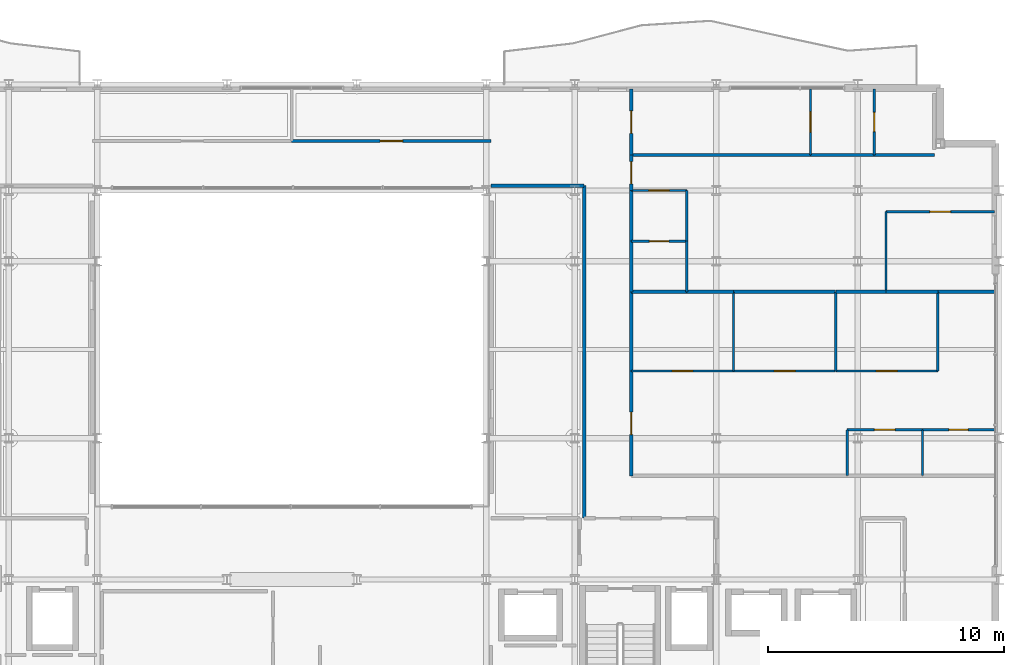
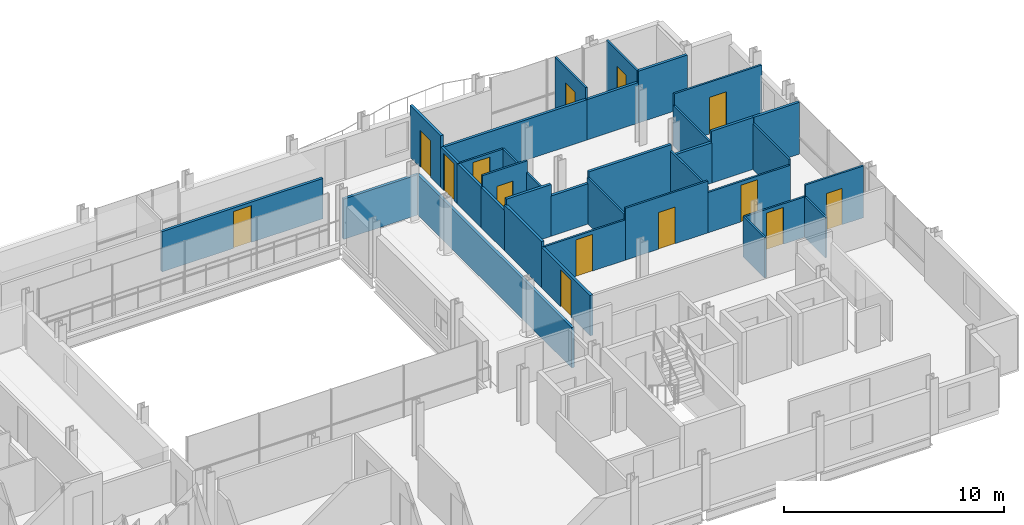
# One storey, part 37 of 41: 36 walls, 14 doors, 14 openings.
"""IFC4 building model written with IfcOpenShell, lengths in metres."""

from ifc_helpers import new_model, si_unit, direction, frame, frame_2d, origin, place, context, subcontext, project, spatial, rectangle, extrude, material, layer, layer_set, type_object, element, fill, save


model = new_model("IFC4")

# Units and contexts
model_context = context("Model", 3, precision=1e-05, world=origin(), true_north=direction((0.0, 1.0)))
body_context = subcontext(model_context, "Body", "Model", "MODEL_VIEW")
ifc_project = project(units=[si_unit("LENGTHUNIT", "METRE"), si_unit("AREAUNIT", "SQUARE_METRE"), si_unit("VOLUMEUNIT", "CUBIC_METRE"), si_unit("PLANEANGLEUNIT", "RADIAN"), si_unit("MASSUNIT", "GRAM", prefix="KILO")], contexts=[model_context])

# Site, building, storey
site_placement = place(None, origin())
site = spatial("IfcSite", under=ifc_project, at=site_placement, CompositionType="ELEMENT")
building_placement = place(site_placement, origin())
building = spatial("IfcBuilding", under=site, at=building_placement, Name="Brevholm Reach", CompositionType="ELEMENT")
storey_placement = place(building_placement, frame((0.0, 0.0, 163.5)))
storey = spatial("IfcBuildingStorey", under=building, at=storey_placement, Name="L49", CompositionType="ELEMENT", Elevation=163.5)

# Wall
ifc_material_1 = material(Name="Moisture-Resistant Acoustic Gypsum Stud Partition 100 mm", Category="gypsum")
ifc_layer_1 = layer(ifc_material_1, 0.10009765625)
ifc_layer_set_1 = layer_set([ifc_layer_1], Name="Moisture-Resistant Acoustic Gypsum Stud Partition 100 mm")
wall_type_1 = type_object("IfcWallType", Name="WAL-PRT-100", PredefinedType="PARTITIONING", material=ifc_layer_set_1)
wall_1_placement = place(storey_placement, frame((56.75, 14.404052734375, 0.0), z_axis=(0.0, 0.0, 1.0), x_axis=(0.0, 1.0, 0.0)))
element("IfcWall", 1, at=wall_1_placement, inside=storey, type_object=wall_type_1, Name="L49 Internal Partition 095", PredefinedType="PARTITIONING", context=body_context, shape_type="SweptSolid", body=[
    extrude(rectangle(XDim=1.946044921875, YDim=0.10009765625, at=frame_2d((0.97314453125, 0.0))), origin(), (0.0, 0.0, 1.0), 2.242919921875),
])

# Wall, opening, door
wall_2_placement = place(storey_placement, frame((56.75, 16.35009765625, 0.0), z_axis=(0.0, 0.0, 1.0), x_axis=(1.0, 0.0, 0.0)))
wall_2 = element("IfcWall", 2, at=wall_2_placement, inside=storey, type_object=wall_type_1, Name="L49 Internal Partition 096", PredefinedType="PARTITIONING", context=body_context, shape_type="SweptSolid", body=[
    extrude(rectangle(XDim=3.050048828125, YDim=0.10009765625, at=frame_2d((1.52490234375, 0.0))), origin(), (0.0, 0.0, 1.0), 2.8798828125),
])
opening_1_placement = place(wall_2_placement, frame((1.114990234375, 0.0, 0.0)))
opening_1 = element("IfcOpeningElement", 3, at=opening_1_placement, cuts=wall_2, Name="Opening ID-03", PredefinedType="OPENING", context=body_context, shape_type="SweptSolid", body=[
    extrude(rectangle(XDim=0.820068359375, YDim=2.02001953125, at=frame_2d((0.41015625, 1.010009765625))), frame((0.0, 0.06005859375, 0.0), z_axis=(0.0, -1.0, 0.0), x_axis=(1.0, 0.0, 0.0)), (0.0, 0.0, 1.0), 0.1201171875),
])
ifc_material_2 = material(Name="Moisture-Resistant Painted Timber Internal Bathroom Door", Category="wood")
door_type_1 = type_object("IfcDoorType", Name="DOR-BATH-820", OperationType="NOTDEFINED", PredefinedType="DOOR", material=ifc_material_2)
door_1_placement = place(opening_1_placement, origin())
door_1 = element("IfcDoor", 4, at=door_1_placement, inside=storey, type_object=door_type_1, Name="L49 Internal Door 041", OperationType="SINGLE_SWING_LEFT", OverallHeight=2.02001953125, OverallWidth=0.820068359375, PredefinedType="DOOR", context=body_context, shape_type="SweptSolid", body=[
    extrude(rectangle(XDim=0.820068359375, YDim=2.02001953125, at=frame_2d((0.41015625, 1.010009765625))), frame((0.0, 0.02490234375, 0.0), z_axis=(0.0, -1.0, 0.0), x_axis=(1.0, 0.0, 0.0)), (0.0, 0.0, 1.0), 0.050048828125),
])
fill(opening_1, door_1)

wall_3_placement = place(storey_placement, frame((53.550048828125, 16.35009765625, 0.0), z_axis=(0.0, 0.0, 1.0), x_axis=(1.0, 0.0, 0.0)))
wall_3 = element("IfcWall", 5, at=wall_3_placement, inside=storey, type_object=wall_type_1, Name="L49 Internal Partition 097", PredefinedType="PARTITIONING", context=body_context, shape_type="SweptSolid", body=[
    extrude(rectangle(XDim=3.196044921875, YDim=0.10009765625, at=frame_2d((1.59814453125, 0.0))), origin(), (0.0, 0.0, 1.0), 2.242919921875),
])
opening_2_placement = place(wall_3_placement, frame((1.157958984375, 0.0, 0.0)))
opening_2 = element("IfcOpeningElement", 6, at=opening_2_placement, cuts=wall_3, Name="Opening ID-01", PredefinedType="OPENING", context=body_context, shape_type="SweptSolid", body=[
    extrude(rectangle(XDim=0.8798828125, YDim=2.0400390625, at=frame_2d((0.43994140625, 1.02001953125))), frame((0.0, 0.06005859375, 0.0), z_axis=(0.0, -1.0, 0.0), x_axis=(1.0, 0.0, 0.0)), (0.0, 0.0, 1.0), 0.1201171875),
])
ifc_material_3 = material(Name="Lacquered Ash Solid-Core Acoustic Internal Door", Category="timber")
door_type_2 = type_object("IfcDoorType", Name="DOR-INT-880", OperationType="NOTDEFINED", PredefinedType="DOOR", material=ifc_material_3)
door_2_placement = place(opening_2_placement, origin())
door_2 = element("IfcDoor", 7, at=door_2_placement, inside=storey, type_object=door_type_2, Name="L49 Internal Door 042", OperationType="SINGLE_SWING_RIGHT", OverallHeight=2.0400390625, OverallWidth=0.8798828125, PredefinedType="DOOR", context=body_context, shape_type="SweptSolid", body=[
    extrude(rectangle(XDim=0.8798828125, YDim=2.0400390625, at=frame_2d((0.43994140625, 1.02001953125))), frame((0.0, 0.02490234375, 0.0), z_axis=(0.0, -1.0, 0.0), x_axis=(1.0, 0.0, 0.0)), (0.0, 0.0, 1.0), 0.050048828125),
])
fill(opening_2, door_2)

# Walls
wall_4_placement = place(storey_placement, frame((53.550048828125, 14.404052734375, 0.0), z_axis=(0.0, 0.0, 1.0), x_axis=(0.0, 1.0, 0.0)))
element("IfcWall", 8, at=wall_4_placement, inside=storey, type_object=wall_type_1, Name="L49 Internal Partition 098", PredefinedType="PARTITIONING", context=body_context, shape_type="SweptSolid", body=[
    extrude(rectangle(XDim=1.946044921875, YDim=0.10009765625, at=frame_2d((0.97314453125, 0.0))), origin(), (0.0, 0.0, 1.0), 2.242919921875),
])
wall_5_placement = place(storey_placement, frame((48.73291015625, 18.845947265625, 0.0), z_axis=(0.0, 0.0, 1.0), x_axis=(0.0, 1.0, 0.0)))
element("IfcWall", 9, at=wall_5_placement, inside=storey, type_object=wall_type_1, Name="L49 Internal Partition 099", PredefinedType="PARTITIONING", context=body_context, shape_type="SweptSolid", body=[
    extrude(rectangle(XDim=3.35400390625, YDim=0.10009765625, at=frame_2d((1.677001953125, 0.0))), origin(), (0.0, 0.0, 1.0), 2.551513671875),
])

# Wall, opening, door
wall_6_placement = place(storey_placement, frame((44.404052734375, 18.845947265625, 0.0), z_axis=(0.0, 0.0, 1.0), x_axis=(1.0, 0.0, 0.0)))
wall_6 = element("IfcWall", 10, at=wall_6_placement, inside=storey, type_object=wall_type_1, Name="L49 Internal Partition 100", PredefinedType="PARTITIONING", context=body_context, shape_type="SweptSolid", body=[
    extrude(rectangle(XDim=4.328857421875, YDim=0.10009765625, at=frame_2d((2.16455078125, 0.0))), origin(), (0.0, 0.0, 1.0), 2.242919921875),
])
opening_3_placement = place(wall_6_placement, frame((1.724609375, 0.0, 0.0)))
opening_3 = element("IfcOpeningElement", 11, at=opening_3_placement, cuts=wall_6, Name="Opening ID-01", PredefinedType="OPENING", context=body_context, shape_type="SweptSolid", body=[
    extrude(rectangle(XDim=0.8798828125, YDim=2.0400390625, at=frame_2d((0.43994140625, 1.02001953125))), frame((0.0, 0.06005859375, 0.0), z_axis=(0.0, -1.0, 0.0), x_axis=(1.0, 0.0, 0.0)), (0.0, 0.0, 1.0), 0.1201171875),
])
door_3_placement = place(opening_3_placement, origin())
door_3 = element("IfcDoor", 12, at=door_3_placement, inside=storey, type_object=door_type_2, Name="L49 Internal Door 043", OperationType="SINGLE_SWING_LEFT", OverallHeight=2.0400390625, OverallWidth=0.8798828125, PredefinedType="DOOR", context=body_context, shape_type="SweptSolid", body=[
    extrude(rectangle(XDim=0.8798828125, YDim=2.0400390625, at=frame_2d((0.43994140625, 1.02001953125))), frame((0.0, 0.02490234375, 0.0), z_axis=(0.0, -1.0, 0.0), x_axis=(1.0, 0.0, 0.0)), (0.0, 0.0, 1.0), 0.050048828125),
])
fill(opening_3, door_3)

# Wall
wall_7_placement = place(storey_placement, frame((53.06591796875, 18.845947265625, 0.0), z_axis=(0.0, 0.0, 1.0), x_axis=(0.0, 1.0, 0.0)))
element("IfcWall", 13, at=wall_7_placement, inside=storey, type_object=wall_type_1, Name="L49 Internal Partition 103", PredefinedType="PARTITIONING", context=body_context, shape_type="SweptSolid", body=[
    extrude(rectangle(XDim=3.35400390625, YDim=0.10009765625, at=frame_2d((1.677001953125, 0.0))), origin(), (0.0, 0.0, 1.0), 2.551513671875),
])

# Wall, opening, door
wall_8_placement = place(storey_placement, frame((48.737060546875, 18.845947265625, 0.0), z_axis=(0.0, 0.0, 1.0), x_axis=(1.0, 0.0, 0.0)))
wall_8 = element("IfcWall", 14, at=wall_8_placement, inside=storey, type_object=wall_type_1, Name="L49 Internal Partition 104", PredefinedType="PARTITIONING", context=body_context, shape_type="SweptSolid", body=[
    extrude(rectangle(XDim=4.328857421875, YDim=0.10009765625, at=frame_2d((2.16455078125, 0.0))), origin(), (0.0, 0.0, 1.0), 2.8798828125),
])
opening_4_placement = place(wall_8_placement, frame((1.724609375, 0.0, 0.0)))
opening_4 = element("IfcOpeningElement", 15, at=opening_4_placement, cuts=wall_8, Name="Opening ID-01", PredefinedType="OPENING", context=body_context, shape_type="SweptSolid", body=[
    extrude(rectangle(XDim=0.8798828125, YDim=2.0400390625, at=frame_2d((0.43994140625, 1.02001953125))), frame((0.0, 0.06005859375, 0.0), z_axis=(0.0, -1.0, 0.0), x_axis=(1.0, 0.0, 0.0)), (0.0, 0.0, 1.0), 0.1201171875),
])
door_4_placement = place(opening_4_placement, origin())
door_4 = element("IfcDoor", 16, at=door_4_placement, inside=storey, type_object=door_type_2, Name="L49 Internal Door 044", OperationType="SINGLE_SWING_RIGHT", OverallHeight=2.0400390625, OverallWidth=0.8798828125, PredefinedType="DOOR", context=body_context, shape_type="SweptSolid", body=[
    extrude(rectangle(XDim=0.8798828125, YDim=2.0400390625, at=frame_2d((0.43994140625, 1.02001953125))), frame((0.0, 0.02490234375, 0.0), z_axis=(0.0, -1.0, 0.0), x_axis=(1.0, 0.0, 0.0)), (0.0, 0.0, 1.0), 0.050048828125),
])
fill(opening_4, door_4)

wall_9_placement = place(storey_placement, frame((53.070068359375, 18.845947265625, 0.0), z_axis=(0.0, 0.0, 1.0), x_axis=(1.0, 0.0, 0.0)))
wall_9 = element("IfcWall", 17, at=wall_9_placement, inside=storey, type_object=wall_type_1, Name="L49 Internal Partition 106", PredefinedType="PARTITIONING", context=body_context, shape_type="SweptSolid", body=[
    extrude(rectangle(XDim=4.328857421875, YDim=0.10009765625, at=frame_2d((2.16455078125, 0.0))), origin(), (0.0, 0.0, 1.0), 2.242919921875),
])
opening_5_placement = place(wall_9_placement, frame((1.724609375, 0.0, 0.0)))
opening_5 = element("IfcOpeningElement", 18, at=opening_5_placement, cuts=wall_9, Name="Opening ID-01", PredefinedType="OPENING", context=body_context, shape_type="SweptSolid", body=[
    extrude(rectangle(XDim=0.8798828125, YDim=2.0400390625, at=frame_2d((0.43994140625, 1.02001953125))), frame((0.0, 0.06005859375, 0.0), z_axis=(0.0, -1.0, 0.0), x_axis=(1.0, 0.0, 0.0)), (0.0, 0.0, 1.0), 0.1201171875),
])
door_5_placement = place(opening_5_placement, origin())
door_5 = element("IfcDoor", 19, at=door_5_placement, inside=storey, type_object=door_type_2, Name="L49 Internal Door 045", OperationType="SINGLE_SWING_LEFT", OverallHeight=2.0400390625, OverallWidth=0.8798828125, PredefinedType="DOOR", context=body_context, shape_type="SweptSolid", body=[
    extrude(rectangle(XDim=0.8798828125, YDim=2.0400390625, at=frame_2d((0.43994140625, 1.02001953125))), frame((0.0, 0.02490234375, 0.0), z_axis=(0.0, -1.0, 0.0), x_axis=(1.0, 0.0, 0.0)), (0.0, 0.0, 1.0), 0.050048828125),
])
fill(opening_5, door_5)

# Wall
wall_10_placement = place(storey_placement, frame((57.39892578125, 18.845947265625, 0.0), z_axis=(0.0, 0.0, 1.0), x_axis=(0.0, 1.0, 0.0)))
element("IfcWall", 20, at=wall_10_placement, inside=storey, type_object=wall_type_1, Name="L49 Internal Partition 107", PredefinedType="PARTITIONING", context=body_context, shape_type="SweptSolid", body=[
    extrude(rectangle(XDim=3.35400390625, YDim=0.10009765625, at=frame_2d((1.677001953125, 0.0))), origin(), (0.0, 0.0, 1.0), 2.551513671875),
])

# Wall, opening, door
wall_11_placement = place(storey_placement, frame((44.404052734375, 24.35009765625, 0.0), z_axis=(0.0, 0.0, 1.0), x_axis=(1.0, 0.0, 0.0)))
wall_11 = element("IfcWall", 21, at=wall_11_placement, inside=storey, type_object=wall_type_1, Name="L49 Internal Partition 111", PredefinedType="PARTITIONING", context=body_context, shape_type="SweptSolid", body=[
    extrude(rectangle(XDim=2.345947265625, YDim=0.10009765625, at=frame_2d((1.1728515625, 0.0))), origin(), (0.0, 0.0, 1.0), 2.8798828125),
])
opening_6_placement = place(wall_11_placement, frame((0.762939453125, 0.0, 0.0)))
opening_6 = element("IfcOpeningElement", 22, at=opening_6_placement, cuts=wall_11, Name="Opening ID-03", PredefinedType="OPENING", context=body_context, shape_type="SweptSolid", body=[
    extrude(rectangle(XDim=0.820068359375, YDim=2.02001953125, at=frame_2d((0.41015625, 1.010009765625))), frame((0.0, 0.06005859375, 0.0), z_axis=(0.0, -1.0, 0.0), x_axis=(1.0, 0.0, 0.0)), (0.0, 0.0, 1.0), 0.1201171875),
])
door_6_placement = place(opening_6_placement, origin())
door_6 = element("IfcDoor", 23, at=door_6_placement, inside=storey, type_object=door_type_1, Name="L49 Access Door 050", OperationType="SINGLE_SWING_RIGHT", OverallHeight=2.02001953125, OverallWidth=0.820068359375, PredefinedType="DOOR", context=body_context, shape_type="SweptSolid", body=[
    extrude(rectangle(XDim=0.820068359375, YDim=2.02001953125, at=frame_2d((0.41015625, 1.010009765625))), frame((0.0, 0.02490234375, 0.0), z_axis=(0.0, -1.0, 0.0), x_axis=(1.0, 0.0, 0.0)), (0.0, 0.0, 1.0), 0.050048828125),
])
fill(opening_6, door_6)

# Walls
for number, where, z_axis, x_axis, name in (
    (24, (46.75, 22.2041015625, 0.0), (0.0, 0.0, 1.0), (0.0, 1.0, 0.0), "L49 Internal Partition 112"),
    (25, (46.75, 24.35400390625, 0.0), (0.0, 0.0, 1.0), (0.0, 1.0, 0.0), "L49 Internal Partition 113"),
):
    element("IfcWall", number, at=place(storey_placement, frame(where, z_axis=z_axis, x_axis=x_axis)), inside=storey, type_object=wall_type_1, Name=name, PredefinedType="PARTITIONING", context=body_context, shape_type="SweptSolid", body=[
        extrude(rectangle(XDim=2.14599609375, YDim=0.10009765625, at=frame_2d((1.072998046875, 0.0))), origin(), (0.0, 0.0, 1.0), 2.242919921875),
    ])

# Wall, opening, door
wall_12_placement = place(storey_placement, frame((44.404052734375, 26.5, 0.0), z_axis=(0.0, 0.0, 1.0), x_axis=(1.0, 0.0, 0.0)))
wall_12 = element("IfcWall", 26, at=wall_12_placement, inside=storey, type_object=wall_type_1, Name="L49 Internal Partition 114", PredefinedType="PARTITIONING", context=body_context, shape_type="SweptSolid", body=[
    extrude(rectangle(XDim=2.345947265625, YDim=0.10009765625, at=frame_2d((1.1728515625, 0.0))), origin(), (0.0, 0.0, 1.0), 2.242919921875),
])
opening_7_placement = place(wall_12_placement, frame((0.73291015625, 0.0, 0.0)))
opening_7 = element("IfcOpeningElement", 27, at=opening_7_placement, cuts=wall_12, Name="Opening ID-01", PredefinedType="OPENING", context=body_context, shape_type="SweptSolid", body=[
    extrude(rectangle(XDim=0.8798828125, YDim=2.0400390625, at=frame_2d((0.43994140625, 1.02001953125))), frame((0.0, 0.06005859375, 0.0), z_axis=(0.0, -1.0, 0.0), x_axis=(1.0, 0.0, 0.0)), (0.0, 0.0, 1.0), 0.1201171875),
])
door_7_placement = place(opening_7_placement, origin())
door_7 = element("IfcDoor", 28, at=door_7_placement, inside=storey, type_object=door_type_2, Name="L49 Internal Door 046", OperationType="SINGLE_SWING_RIGHT", OverallHeight=2.0400390625, OverallWidth=0.8798828125, PredefinedType="DOOR", context=body_context, shape_type="SweptSolid", body=[
    extrude(rectangle(XDim=0.8798828125, YDim=2.0400390625, at=frame_2d((0.43994140625, 1.02001953125))), frame((0.0, 0.02490234375, 0.0), z_axis=(0.0, -1.0, 0.0), x_axis=(1.0, 0.0, 0.0)), (0.0, 0.0, 1.0), 0.050048828125),
])
fill(opening_7, door_7)

wall_13_placement = place(storey_placement, frame((55.199951171875, 25.60009765625, 0.0), z_axis=(0.0, 0.0, 1.0), x_axis=(1.0, 0.0, 0.0)))
wall_13 = element("IfcWall", 29, at=wall_13_placement, inside=storey, type_object=wall_type_1, Name="L49 Internal Partition 115", PredefinedType="PARTITIONING", context=body_context, shape_type="SweptSolid", body=[
    extrude(rectangle(XDim=4.60009765625, YDim=0.10009765625, at=frame_2d((2.300048828125, 0.0))), origin(), (0.0, 0.0, 1.0), 2.8798828125),
])
opening_8_placement = place(wall_13_placement, frame((1.860107421875, 0.0, 0.0)))
opening_8 = element("IfcOpeningElement", 30, at=opening_8_placement, cuts=wall_13, Name="Opening ID-01", PredefinedType="OPENING", context=body_context, shape_type="SweptSolid", body=[
    extrude(rectangle(XDim=0.8798828125, YDim=2.0400390625, at=frame_2d((0.43994140625, 1.02001953125))), frame((0.0, 0.06005859375, 0.0), z_axis=(0.0, -1.0, 0.0), x_axis=(1.0, 0.0, 0.0)), (0.0, 0.0, 1.0), 0.1201171875),
])
door_8_placement = place(opening_8_placement, origin())
door_8 = element("IfcDoor", 31, at=door_8_placement, inside=storey, type_object=door_type_2, Name="L49 Internal Door 047", OperationType="SINGLE_SWING_LEFT", OverallHeight=2.0400390625, OverallWidth=0.8798828125, PredefinedType="DOOR", context=body_context, shape_type="SweptSolid", body=[
    extrude(rectangle(XDim=0.8798828125, YDim=2.0400390625, at=frame_2d((0.43994140625, 1.02001953125))), frame((0.0, 0.02490234375, 0.0), z_axis=(0.0, -1.0, 0.0), x_axis=(1.0, 0.0, 0.0)), (0.0, 0.0, 1.0), 0.050048828125),
])
fill(opening_8, door_8)

# Wall
wall_14_placement = place(storey_placement, frame((55.199951171875, 22.2041015625, 0.0), z_axis=(0.0, 0.0, 1.0), x_axis=(0.0, 1.0, 0.0)))
element("IfcWall", 32, at=wall_14_placement, inside=storey, type_object=wall_type_1, Name="L49 Internal Partition 116", PredefinedType="PARTITIONING", context=body_context, shape_type="SweptSolid", body=[
    extrude(rectangle(XDim=3.39599609375, YDim=0.10009765625, at=frame_2d((1.697998046875, 0.0))), origin(), (0.0, 0.0, 1.0), 2.242919921875),
])

# Wall, opening, door
wall_15_placement = place(storey_placement, frame((54.699951171875, 28.00390625, 0.0), z_axis=(0.0, 0.0, 1.0), x_axis=(0.0, 1.0, 0.0)))
wall_15 = element("IfcWall", 33, at=wall_15_placement, inside=storey, type_object=wall_type_1, Name="L49 Internal Partition 123", PredefinedType="PARTITIONING", context=body_context, shape_type="SweptSolid", body=[
    extrude(rectangle(XDim=2.796142578125, YDim=0.10009765625, at=frame_2d((1.39794921875, 0.0))), origin(), (0.0, 0.0, 1.0), 2.8798828125),
])
opening_9_placement = place(wall_15_placement, frame((0.988037109375, 0.0, 0.0)))
opening_9 = element("IfcOpeningElement", 34, at=opening_9_placement, cuts=wall_15, Name="Opening ID-03", PredefinedType="OPENING", context=body_context, shape_type="SweptSolid", body=[
    extrude(rectangle(XDim=0.820068359375, YDim=2.02001953125, at=frame_2d((0.41015625, 1.010009765625))), frame((0.0, 0.06005859375, 0.0), z_axis=(0.0, -1.0, 0.0), x_axis=(1.0, 0.0, 0.0)), (0.0, 0.0, 1.0), 0.1201171875),
])
door_9_placement = place(opening_9_placement, origin())
door_9 = element("IfcDoor", 35, at=door_9_placement, inside=storey, type_object=door_type_1, Name="L49 Access Door 052", OperationType="SINGLE_SWING_RIGHT", OverallHeight=2.02001953125, OverallWidth=0.820068359375, PredefinedType="DOOR", context=body_context, shape_type="SweptSolid", body=[
    extrude(rectangle(XDim=0.820068359375, YDim=2.02001953125, at=frame_2d((0.41015625, 1.010009765625))), frame((0.0, 0.02490234375, 0.0), z_axis=(0.0, -1.0, 0.0), x_axis=(1.0, 0.0, 0.0)), (0.0, 0.0, 1.0), 0.050048828125),
])
fill(opening_9, door_9)

wall_16_placement = place(storey_placement, frame((52.0, 28.00390625, 0.0), z_axis=(0.0, 0.0, 1.0), x_axis=(0.0, 1.0, 0.0)))
wall_16 = element("IfcWall", 36, at=wall_16_placement, inside=storey, type_object=wall_type_1, Name="L49 Internal Partition 124", PredefinedType="PARTITIONING", context=body_context, shape_type="SweptSolid", body=[
    extrude(rectangle(XDim=2.796142578125, YDim=0.10009765625, at=frame_2d((1.39794921875, 0.0))), origin(), (0.0, 0.0, 1.0), 2.8798828125),
])
opening_10_placement = place(wall_16_placement, frame((0.9580078125, 0.0, 0.0)))
opening_10 = element("IfcOpeningElement", 37, at=opening_10_placement, cuts=wall_16, Name="Opening ID-01", PredefinedType="OPENING", context=body_context, shape_type="SweptSolid", body=[
    extrude(rectangle(XDim=0.8798828125, YDim=2.0400390625, at=frame_2d((0.43994140625, 1.02001953125))), frame((0.0, 0.06005859375, 0.0), z_axis=(0.0, -1.0, 0.0), x_axis=(1.0, 0.0, 0.0)), (0.0, 0.0, 1.0), 0.1201171875),
])
door_10_placement = place(opening_10_placement, origin())
door_10 = element("IfcDoor", 38, at=door_10_placement, inside=storey, type_object=door_type_2, Name="L49 Internal Door 049", OperationType="SINGLE_SWING_LEFT", OverallHeight=2.0400390625, OverallWidth=0.8798828125, PredefinedType="DOOR", context=body_context, shape_type="SweptSolid", body=[
    extrude(rectangle(XDim=0.8798828125, YDim=2.0400390625, at=frame_2d((0.43994140625, 1.02001953125))), frame((0.0, 0.02490234375, 0.0), z_axis=(0.0, -1.0, 0.0), x_axis=(1.0, 0.0, 0.0)), (0.0, 0.0, 1.0), 0.050048828125),
])
fill(opening_10, door_10)

# Wall
ifc_material_4 = material(Name="Twin-Stud Acoustic Fire-Rated Gypsum Partition 140 mm", Category="gypsum")
ifc_layer_2 = layer(ifc_material_4, 0.139892578125)
ifc_layer_set_2 = layer_set([ifc_layer_2], Name="Twin-Stud Acoustic Fire-Rated Gypsum Partition 140 mm")
wall_type_2 = type_object("IfcWallType", Name="WAL-PRT-140", PredefinedType="PARTITIONING", material=ifc_layer_set_2)
wall_17_placement = place(storey_placement, frame((44.39990234375, 18.834716796875, 0.0), z_axis=(0.0, 0.0, 1.0), x_axis=(0.0, 1.0, 0.0)))
element("IfcWall", 39, at=wall_17_placement, inside=storey, type_object=wall_type_2, Name="L49 Internal Partition 042", PredefinedType="PARTITIONING", context=body_context, shape_type="SweptSolid", body=[
    extrude(rectangle(XDim=3.37646484375, YDim=0.139892578125, at=frame_2d((1.688232421875, 0.0))), origin(), (0.0, 0.0, 1.0), 2.551513671875),
])

# Wall, opening, door
wall_18_placement = place(storey_placement, frame((44.39990234375, 14.392578125, 0.0), z_axis=(0.0, 0.0, 1.0), x_axis=(0.0, 1.0, 0.0)))
wall_18 = element("IfcWall", 40, at=wall_18_placement, inside=storey, type_object=wall_type_2, Name="L49 Internal Partition 043", PredefinedType="PARTITIONING", context=body_context, shape_type="SweptSolid", body=[
    extrude(rectangle(XDim=4.460693359375, YDim=0.139892578125, at=frame_2d((2.23046875, 0.0))), origin(), (0.0, 0.0, 1.0), 2.242919921875),
])
opening_11_placement = place(wall_18_placement, frame((1.75537109375, 0.0, 0.0)))
opening_11 = element("IfcOpeningElement", 41, at=opening_11_placement, cuts=wall_18, Name="Opening ID-30", PredefinedType="OPENING", context=body_context, shape_type="SweptSolid", body=[
    extrude(rectangle(XDim=0.949951171875, YDim=2.050048828125, at=frame_2d((0.47509765625, 1.02490234375))), frame((0.0, 0.079833984375, 0.0), z_axis=(0.0, -1.0, 0.0), x_axis=(1.0, 0.0, 0.0)), (0.0, 0.0, 1.0), 0.159912109375),
])
ifc_material_5 = material(Name="European Oak Veneered Solid-Core Fire Entrance Door", Category="timber")
door_type_3 = type_object("IfcDoorType", Name="DOR-FLT-FD30S", OperationType="NOTDEFINED", PredefinedType="DOOR", material=ifc_material_5)
door_11_placement = place(opening_11_placement, origin())
door_11 = element("IfcDoor", 42, at=door_11_placement, inside=storey, type_object=door_type_3, Name="L49 Internal Door 022", OperationType="SINGLE_SWING_RIGHT", OverallHeight=2.050048828125, OverallWidth=0.949951171875, PredefinedType="DOOR", context=body_context, shape_type="SweptSolid", body=[
    extrude(rectangle(XDim=0.949951171875, YDim=2.050048828125, at=frame_2d((0.47509765625, 1.02490234375))), frame((0.0, 0.02490234375, 0.0), z_axis=(0.0, -1.0, 0.0), x_axis=(1.0, 0.0, 0.0)), (0.0, 0.0, 1.0), 0.050048828125),
])
fill(opening_11, door_11)

# Walls
wall_19_placement = place(storey_placement, frame((44.39990234375, 22.192626953125, 0.0), z_axis=(0.0, 0.0, 1.0), x_axis=(0.0, 1.0, 0.0)))
element("IfcWall", 43, at=wall_19_placement, inside=storey, type_object=wall_type_2, Name="L49 Internal Partition 044", PredefinedType="PARTITIONING", context=body_context, shape_type="SweptSolid", body=[
    extrude(rectangle(XDim=2.168701171875, YDim=0.139892578125, at=frame_2d((1.08447265625, 0.0))), origin(), (0.0, 0.0, 1.0), 2.242919921875),
])
wall_20_placement = place(storey_placement, frame((44.39990234375, 24.3427734375, 0.0), z_axis=(0.0, 0.0, 1.0), x_axis=(0.0, 1.0, 0.0)))
element("IfcWall", 44, at=wall_20_placement, inside=storey, type_object=wall_type_2, Name="L49 Internal Partition 045", PredefinedType="PARTITIONING", context=body_context, shape_type="SweptSolid", body=[
    extrude(rectangle(XDim=2.16845703125, YDim=0.139892578125, at=frame_2d((1.084228515625, 0.0))), origin(), (0.0, 0.0, 1.0), 2.242919921875),
])

# Wall, opening, door
wall_21_placement = place(storey_placement, frame((44.39990234375, 26.49267578125, 0.0), z_axis=(0.0, 0.0, 1.0), x_axis=(0.0, 1.0, 0.0)))
wall_21 = element("IfcWall", 45, at=wall_21_placement, inside=storey, type_object=wall_type_2, Name="L49 Internal Partition 046", PredefinedType="PARTITIONING", context=body_context, shape_type="SweptSolid", body=[
    extrude(rectangle(XDim=1.5185546875, YDim=0.139892578125, at=frame_2d((0.75927734375, 0.0))), origin(), (0.0, 0.0, 1.0), 2.242919921875),
])
opening_12_placement = place(wall_21_placement, frame((0.2841796875, 0.0, 0.0)))
opening_12 = element("IfcOpeningElement", 46, at=opening_12_placement, cuts=wall_21, Name="Opening ID-30", PredefinedType="OPENING", context=body_context, shape_type="SweptSolid", body=[
    extrude(rectangle(XDim=0.949951171875, YDim=2.050048828125, at=frame_2d((0.47509765625, 1.02490234375))), frame((0.0, 0.079833984375, 0.0), z_axis=(0.0, -1.0, 0.0), x_axis=(1.0, 0.0, 0.0)), (0.0, 0.0, 1.0), 0.159912109375),
])
door_12_placement = place(opening_12_placement, origin())
door_12 = element("IfcDoor", 47, at=door_12_placement, inside=storey, type_object=door_type_3, Name="L49 Internal Door 023", OperationType="SINGLE_SWING_LEFT", OverallHeight=2.050048828125, OverallWidth=0.949951171875, PredefinedType="DOOR", context=body_context, shape_type="SweptSolid", body=[
    extrude(rectangle(XDim=0.949951171875, YDim=2.050048828125, at=frame_2d((0.47509765625, 1.02490234375))), frame((0.0, 0.02490234375, 0.0), z_axis=(0.0, -1.0, 0.0), x_axis=(1.0, 0.0, 0.0)), (0.0, 0.0, 1.0), 0.050048828125),
])
fill(opening_12, door_12)

# Wall
wall_22_placement = place(storey_placement, frame((42.39990234375, 12.60400390625, 0.0), z_axis=(0.0, 0.0, 1.0), x_axis=(0.0, 1.0, 0.0)))
element("IfcWall", 48, at=wall_22_placement, inside=storey, type_object=wall_type_2, Name="L49 Internal Partition 047", PredefinedType="PARTITIONING", context=body_context, shape_type="SweptSolid", body=[
    extrude(rectangle(XDim=14.103271484375, YDim=0.139892578125, at=frame_2d((7.0517578125, 0.0))), origin(), (0.0, 0.0, 1.0), 2.242919921875),
])

# Wall, opening, door
wall_23_placement = place(storey_placement, frame((44.39990234375, 27.99267578125, 0.0), z_axis=(0.0, 0.0, 1.0), x_axis=(0.0, 1.0, 0.0)))
wall_23 = element("IfcWall", 49, at=wall_23_placement, inside=storey, type_object=wall_type_2, Name="L49 Internal Partition 048", PredefinedType="PARTITIONING", context=body_context, shape_type="SweptSolid", body=[
    extrude(rectangle(XDim=2.807373046875, YDim=0.139892578125, at=frame_2d((1.40380859375, 0.0))), origin(), (0.0, 0.0, 1.0), 2.8798828125),
])
opening_13_placement = place(wall_23_placement, frame((0.9287109375, 0.0, 0.0)))
opening_13 = element("IfcOpeningElement", 50, at=opening_13_placement, cuts=wall_23, Name="Opening ID-30", PredefinedType="OPENING", context=body_context, shape_type="SweptSolid", body=[
    extrude(rectangle(XDim=0.949951171875, YDim=2.050048828125, at=frame_2d((0.47509765625, 1.02490234375))), frame((0.0, 0.079833984375, 0.0), z_axis=(0.0, -1.0, 0.0), x_axis=(1.0, 0.0, 0.0)), (0.0, 0.0, 1.0), 0.159912109375),
])
door_13_placement = place(opening_13_placement, origin())
door_13 = element("IfcDoor", 51, at=door_13_placement, inside=storey, type_object=door_type_3, Name="L49 Internal Door 024", OperationType="SINGLE_SWING_RIGHT", OverallHeight=2.050048828125, OverallWidth=0.949951171875, PredefinedType="DOOR", context=body_context, shape_type="SweptSolid", body=[
    extrude(rectangle(XDim=0.949951171875, YDim=2.050048828125, at=frame_2d((0.47509765625, 1.02490234375))), frame((0.0, 0.02490234375, 0.0), z_axis=(0.0, -1.0, 0.0), x_axis=(1.0, 0.0, 0.0)), (0.0, 0.0, 1.0), 0.050048828125),
])
fill(opening_13, door_13)

# Wall
wall_24_placement = place(storey_placement, frame((38.438720703125, 26.699951171875, 0.0), z_axis=(0.0, 0.0, 1.0), x_axis=(1.0, 0.0, 0.0)))
element("IfcWall", 52, at=wall_24_placement, inside=storey, type_object=wall_type_2, Name="L49 Internal Partition 053", PredefinedType="PARTITIONING", context=body_context, shape_type="SweptSolid", body=[
    extrude(rectangle(XDim=3.957275390625, YDim=0.139892578125, at=frame_2d((1.978515625, 0.0))), origin(), (0.0, 0.0, 1.0), 2.242919921875),
])

# Wall, opening, door
wall_25_placement = place(storey_placement, frame((29.99267578125, 28.60009765625, 0.0), z_axis=(0.0, 0.0, 1.0), x_axis=(1.0, 0.0, 0.0)))
wall_25 = element("IfcWall", 53, at=wall_25_placement, inside=storey, type_object=wall_type_2, Name="L49 Internal Partition 055", PredefinedType="PARTITIONING", context=body_context, shape_type="SweptSolid", body=[
    extrude(rectangle(XDim=8.464599609375, YDim=0.139892578125, at=frame_2d((4.232421875, 0.0))), origin(), (0.0, 0.0, 1.0), 2.242919921875),
])
opening_14_placement = place(wall_25_placement, frame((3.75732421875, 0.0, 0.0)))
opening_14 = element("IfcOpeningElement", 54, at=opening_14_placement, cuts=wall_25, Name="Opening ID-30", PredefinedType="OPENING", context=body_context, shape_type="SweptSolid", body=[
    extrude(rectangle(XDim=0.949951171875, YDim=2.050048828125, at=frame_2d((0.47509765625, 1.02490234375))), frame((0.0, 0.079833984375, 0.0), z_axis=(0.0, -1.0, 0.0), x_axis=(1.0, 0.0, 0.0)), (0.0, 0.0, 1.0), 0.159912109375),
])
door_14_placement = place(opening_14_placement, origin())
door_14 = element("IfcDoor", 55, at=door_14_placement, inside=storey, type_object=door_type_3, Name="L49 Internal Door 026", OperationType="SINGLE_SWING_RIGHT", OverallHeight=2.050048828125, OverallWidth=0.949951171875, PredefinedType="DOOR", context=body_context, shape_type="SweptSolid", body=[
    extrude(rectangle(XDim=0.949951171875, YDim=2.050048828125, at=frame_2d((0.47509765625, 1.02490234375))), frame((0.0, 0.02490234375, 0.0), z_axis=(0.0, -1.0, 0.0), x_axis=(1.0, 0.0, 0.0)), (0.0, 0.0, 1.0), 0.050048828125),
])
fill(opening_14, door_14)

# Walls
wall_26_placement = place(storey_placement, frame((44.404052734375, 22.199951171875, 0.0), z_axis=(0.0, 0.0, 1.0), x_axis=(1.0, 0.0, 0.0)))
element("IfcWall", 56, at=wall_26_placement, inside=storey, type_object=wall_type_2, Name="L49 Internal Partition 101", PredefinedType="PARTITIONING", context=body_context, shape_type="SweptSolid", body=[
    extrude(rectangle(XDim=2.357177734375, YDim=0.139892578125, at=frame_2d((1.1787109375, 0.0))), origin(), (0.0, 0.0, 1.0), 2.8798828125),
])
wall_27_placement = place(storey_placement, frame((46.74267578125, 22.199951171875, 0.0), z_axis=(0.0, 0.0, 1.0), x_axis=(1.0, 0.0, 0.0)))
element("IfcWall", 57, at=wall_27_placement, inside=storey, type_object=wall_type_2, Name="L49 Internal Partition 102", PredefinedType="PARTITIONING", context=body_context, shape_type="SweptSolid", body=[
    extrude(rectangle(XDim=1.990234375, YDim=0.139892578125, at=frame_2d((0.9951171875, 0.0))), origin(), (0.0, 0.0, 1.0), 2.242919921875),
])
wall_28_placement = place(storey_placement, frame((48.737060546875, 22.199951171875, 0.0), z_axis=(0.0, 0.0, 1.0), x_axis=(1.0, 0.0, 0.0)))
element("IfcWall", 58, at=wall_28_placement, inside=storey, type_object=wall_type_2, Name="L49 Internal Partition 105", PredefinedType="PARTITIONING", context=body_context, shape_type="SweptSolid", body=[
    extrude(rectangle(XDim=4.328857421875, YDim=0.139892578125, at=frame_2d((2.16455078125, 0.0))), origin(), (0.0, 0.0, 1.0), 2.8798828125),
])
wall_29_placement = place(storey_placement, frame((55.188720703125, 22.199951171875, 0.0), z_axis=(0.0, 0.0, 1.0), x_axis=(1.0, 0.0, 0.0)))
element("IfcWall", 59, at=wall_29_placement, inside=storey, type_object=wall_type_2, Name="L49 Internal Partition 108", PredefinedType="PARTITIONING", context=body_context, shape_type="SweptSolid", body=[
    extrude(rectangle(XDim=2.210205078125, YDim=0.139892578125, at=frame_2d((1.10498046875, 0.0))), origin(), (0.0, 0.0, 1.0), 2.8798828125),
])
wall_30_placement = place(storey_placement, frame((53.070068359375, 22.199951171875, 0.0), z_axis=(0.0, 0.0, 1.0), x_axis=(1.0, 0.0, 0.0)))
element("IfcWall", 60, at=wall_30_placement, inside=storey, type_object=wall_type_2, Name="L49 Internal Partition 109", PredefinedType="PARTITIONING", context=body_context, shape_type="SweptSolid", body=[
    extrude(rectangle(XDim=2.13720703125, YDim=0.139892578125, at=frame_2d((1.068603515625, 0.0))), origin(), (0.0, 0.0, 1.0), 2.242919921875),
])
wall_31_placement = place(storey_placement, frame((57.403076171875, 22.199951171875, 0.0), z_axis=(0.0, 0.0, 1.0), x_axis=(1.0, 0.0, 0.0)))
element("IfcWall", 61, at=wall_31_placement, inside=storey, type_object=wall_type_2, Name="L49 Internal Partition 110", PredefinedType="PARTITIONING", context=body_context, shape_type="SweptSolid", body=[
    extrude(rectangle(XDim=2.39697265625, YDim=0.139892578125, at=frame_2d((1.198486328125, 0.0))), origin(), (0.0, 0.0, 1.0), 2.8798828125),
])
wall_32_placement = place(storey_placement, frame((54.688720703125, 28.0, 0.0), z_axis=(0.0, 0.0, 1.0), x_axis=(1.0, 0.0, 0.0)))
element("IfcWall", 62, at=wall_32_placement, inside=storey, type_object=wall_type_2, Name="L49 Internal Partition 117", PredefinedType="PARTITIONING", context=body_context, shape_type="SweptSolid", body=[
    extrude(rectangle(XDim=2.572509765625, YDim=0.139892578125, at=frame_2d((1.2861328125, 0.0))), origin(), (0.0, 0.0, 1.0), 2.8798828125),
])
wall_33_placement = place(storey_placement, frame((51.98876953125, 28.0, 0.0), z_axis=(0.0, 0.0, 1.0), x_axis=(1.0, 0.0, 0.0)))
element("IfcWall", 63, at=wall_33_placement, inside=storey, type_object=wall_type_2, Name="L49 Internal Partition 118", PredefinedType="PARTITIONING", context=body_context, shape_type="SweptSolid", body=[
    extrude(rectangle(XDim=2.718505859375, YDim=0.139892578125, at=frame_2d((1.359375, 0.0))), origin(), (0.0, 0.0, 1.0), 2.242919921875),
])
wall_34_placement = place(storey_placement, frame((44.404052734375, 28.0, 0.0), z_axis=(0.0, 0.0, 1.0), x_axis=(1.0, 0.0, 0.0)))
element("IfcWall", 64, at=wall_34_placement, inside=storey, type_object=wall_type_2, Name="L49 Internal Partition 119", PredefinedType="PARTITIONING", context=body_context, shape_type="SweptSolid", body=[
    extrude(rectangle(XDim=7.603271484375, YDim=0.139892578125, at=frame_2d((3.8017578125, 0.0))), origin(), (0.0, 0.0, 1.0), 2.242919921875),
])

save(model, "model.ifc")
